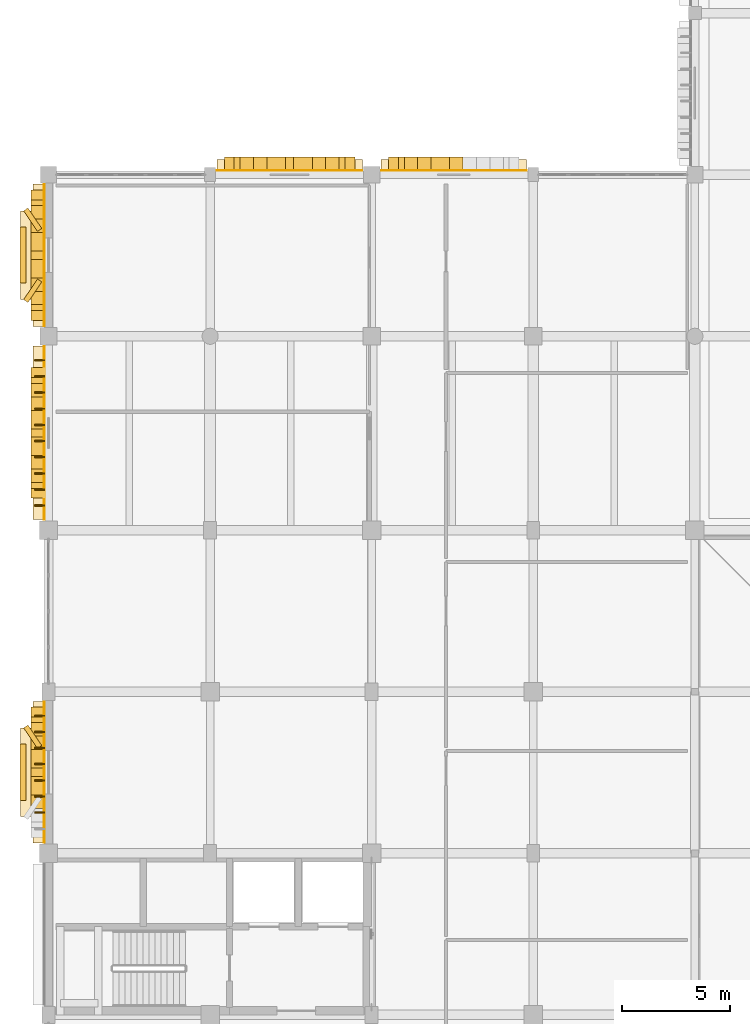
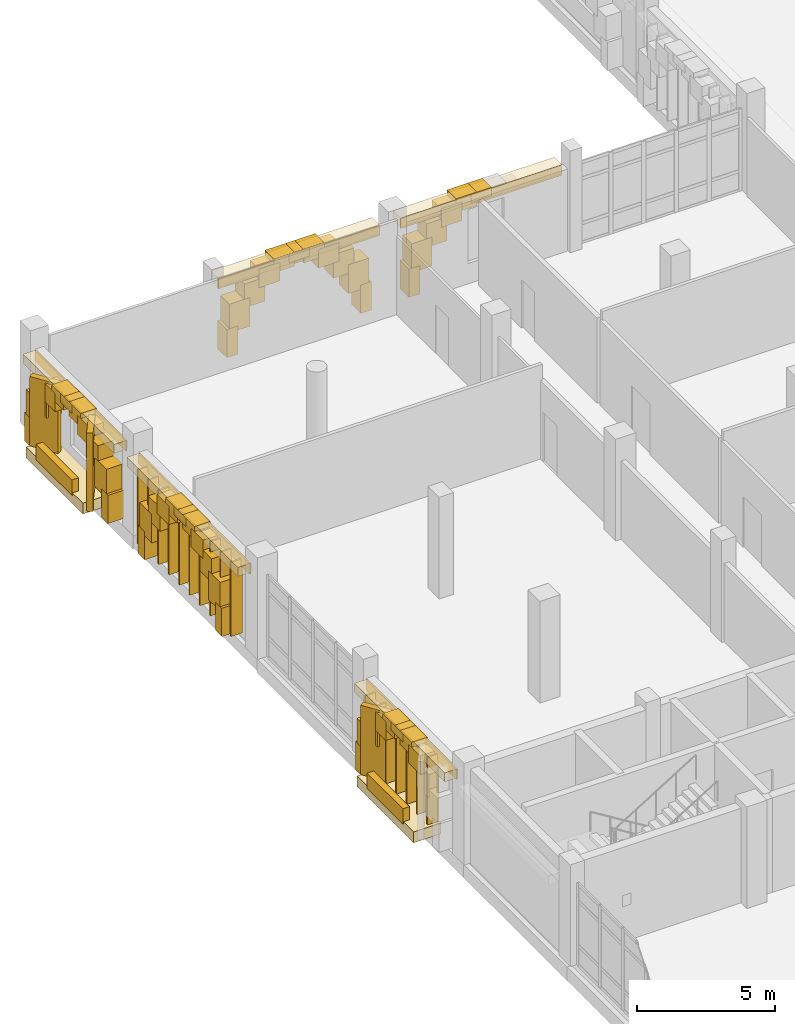
# One storey, part 115 of 128: 64 coverings, 17 shading devices.
"""IFC4 building model written with IfcOpenShell, lengths in metres."""

from ifc_helpers import new_model, si_unit, direction, frame, origin, origin_2d, place, context, subcontext, project, spatial, rectangle, extrude, material, layer, layer_set, type_object, element, save


model = new_model("IFC4")

# Units and contexts
model_context = context("Model", 3, precision=1e-05, world=origin(), true_north=direction((0.0, 1.0)))
body_context = subcontext(model_context, "Body", "Model", "MODEL_VIEW")
ifc_project = project(units=[si_unit("LENGTHUNIT", "METRE"), si_unit("AREAUNIT", "SQUARE_METRE"), si_unit("VOLUMEUNIT", "CUBIC_METRE"), si_unit("PLANEANGLEUNIT", "RADIAN"), si_unit("MASSUNIT", "GRAM", prefix="KILO")], contexts=[model_context])

# Site, building, storey
site_placement = place(None, origin())
site = spatial("IfcSite", under=ifc_project, at=site_placement, CompositionType="ELEMENT")
building_placement = place(site_placement, origin())
building = spatial("IfcBuilding", under=site, at=building_placement, Name="Dalvernix Boulevard General Hospital", CompositionType="ELEMENT")
storey_placement = place(building_placement, frame((0.0, 0.0, 4.800048828125)))
storey = spatial("IfcBuildingStorey", under=building, at=storey_placement, Name="L01", CompositionType="ELEMENT", Elevation=4.800048828125)

# Coverings
ifc_material_1 = material(Name="Pressed Catalan clay brick and dressed limestone parabolic archivolt", Category="masonry")
ifc_layer_1 = layer(ifc_material_1, 0.419921875)
ifc_layer_set_1 = layer_set([ifc_layer_1], Name="Pressed Catalan clay brick and dressed limestone parabolic archivolt (COV-ARC-01)")
covering_type_1 = type_object("IfcCoveringType", Name="COV-ARC-01", PredefinedType="CLADDING", material=ifc_layer_set_1)
covering_1_placement = place(storey_placement, frame((-0.485107421875, 68.0625, 0.0), z_axis=(0.0, 0.0, 1.0), x_axis=(0.0, 1.0, 0.0)))
element("IfcCovering", 1, at=covering_1_placement, inside=storey, type_object=covering_type_1, Name="L01 Catalan parabolic arch impost pier W 0-8-R", PredefinedType="CLADDING", context=body_context, shape_type="SweptSolid", body=[
    extrude(rectangle(XDim=0.4599609375, YDim=0.659912109375, at=origin_2d()), origin(), (0.0, 0.0, 1.0), 1.25),
])
covering_2_placement = place(storey_placement, frame((-0.485107421875, 64.01806640625, 2.62255859375), z_axis=(0.0, 0.0, 1.0), x_axis=(0.0, 1.0, 0.0)))
element("IfcCovering", 2, at=covering_2_placement, inside=storey, type_object=covering_type_1, Name="L01 Catalan parabolic archivolt voussoir W 0-8-3", PredefinedType="CLADDING", context=body_context, shape_type="SweptSolid", body=[
    extrude(rectangle(XDim=0.8623046875, YDim=0.659912109375, at=origin_2d()), origin(), (0.0, 0.0, 1.0), 0.826416015625),
])
covering_3_placement = place(storey_placement, frame((-0.485107421875, 64.640380859375, 3.06884765625), z_axis=(0.0, 0.0, 1.0), x_axis=(0.0, 1.0, 0.0)))
element("IfcCovering", 3, at=covering_3_placement, inside=storey, type_object=covering_type_1, Name="L01 Catalan parabolic archivolt voussoir W 0-8-4", PredefinedType="CLADDING", context=body_context, shape_type="SweptSolid", body=[
    extrude(rectangle(XDim=0.8623046875, YDim=0.659912109375, at=origin_2d()), origin(), (0.0, 0.0, 1.0), 0.603271484375),
])
covering_4_placement = place(storey_placement, frame((-0.485107421875, 65.262451171875, 3.2919921875), z_axis=(0.0, 0.0, 1.0), x_axis=(0.0, 1.0, 0.0)))
element("IfcCovering", 4, at=covering_4_placement, inside=storey, type_object=covering_type_1, Name="L01 Catalan parabolic archivolt voussoir W 0-8-5", PredefinedType="CLADDING", context=body_context, shape_type="SweptSolid", body=[
    extrude(rectangle(XDim=0.8623046875, YDim=0.659912109375, at=origin_2d()), origin(), (0.0, 0.0, 1.0), 0.3798828125),
])
covering_5_placement = place(storey_placement, frame((-0.485107421875, 65.884765625, 3.06884765625), z_axis=(0.0, 0.0, 1.0), x_axis=(0.0, 1.0, 0.0)))
element("IfcCovering", 5, at=covering_5_placement, inside=storey, type_object=covering_type_1, Name="L01 Catalan parabolic archivolt voussoir W 0-8-6", PredefinedType="CLADDING", context=body_context, shape_type="SweptSolid", body=[
    extrude(rectangle(XDim=0.8623046875, YDim=0.659912109375, at=origin_2d()), origin(), (0.0, 0.0, 1.0), 0.603271484375),
])
covering_6_placement = place(storey_placement, frame((-0.485107421875, 66.5068359375, 2.62255859375), z_axis=(0.0, 0.0, 1.0), x_axis=(0.0, 1.0, 0.0)))
element("IfcCovering", 6, at=covering_6_placement, inside=storey, type_object=covering_type_1, Name="L01 Catalan parabolic archivolt voussoir W 0-8-7", PredefinedType="CLADDING", context=body_context, shape_type="SweptSolid", body=[
    extrude(rectangle(XDim=0.8623046875, YDim=0.659912109375, at=origin_2d()), origin(), (0.0, 0.0, 1.0), 0.826416015625),
])
covering_7_placement = place(storey_placement, frame((-0.485107421875, 67.129150390625, 1.95263671875), z_axis=(0.0, 0.0, 1.0), x_axis=(0.0, 1.0, 0.0)))
element("IfcCovering", 7, at=covering_7_placement, inside=storey, type_object=covering_type_1, Name="L01 Catalan parabolic archivolt voussoir W 0-8-8", PredefinedType="CLADDING", context=body_context, shape_type="SweptSolid", body=[
    extrude(rectangle(XDim=0.8623046875, YDim=0.659912109375, at=origin_2d()), origin(), (0.0, 0.0, 1.0), 1.049560546875),
])
covering_8_placement = place(storey_placement, frame((-0.485107421875, 67.75146484375, 1.06005859375), z_axis=(0.0, 0.0, 1.0), x_axis=(0.0, 1.0, 0.0)))
element("IfcCovering", 8, at=covering_8_placement, inside=storey, type_object=covering_type_1, Name="L01 Catalan parabolic archivolt voussoir W 0-8-9", PredefinedType="CLADDING", context=body_context, shape_type="SweptSolid", body=[
    extrude(rectangle(XDim=0.8623046875, YDim=0.659912109375, at=origin_2d()), origin(), (0.0, 0.0, 1.0), 1.272705078125),
])
for number, where, z_axis, x_axis, name in (
    (9, (-0.485107421875, 78.21240234375, 0.0), (0.0, 0.0, 1.0), (0.0, 1.0, 0.0), "L01 Catalan parabolic arch impost pier W 0-10-L"),
    (10, (-0.485107421875, 83.8125, 0.0), (0.0, 0.0, 1.0), (0.0, 1.0, 0.0), "L01 Catalan parabolic arch impost pier W 0-10-R"),
):
    element("IfcCovering", number, at=place(storey_placement, frame(where, z_axis=z_axis, x_axis=x_axis)), inside=storey, type_object=covering_type_1, Name=name, PredefinedType="CLADDING", context=body_context, shape_type="SweptSolid", body=[
        extrude(rectangle(XDim=0.4599609375, YDim=0.659912109375, at=origin_2d()), origin(), (0.0, 0.0, 1.0), 1.25),
    ])
covering_9_placement = place(storey_placement, frame((-0.485107421875, 78.523681640625, 1.06005859375), z_axis=(0.0, 0.0, 1.0), x_axis=(0.0, 1.0, 0.0)))
element("IfcCovering", 11, at=covering_9_placement, inside=storey, type_object=covering_type_1, Name="L01 Catalan parabolic archivolt voussoir W 0-10-1", PredefinedType="CLADDING", context=body_context, shape_type="SweptSolid", body=[
    extrude(rectangle(XDim=0.8623046875, YDim=0.659912109375, at=origin_2d()), origin(), (0.0, 0.0, 1.0), 1.272705078125),
])
covering_10_placement = place(storey_placement, frame((-0.485107421875, 79.145751953125, 1.95263671875), z_axis=(0.0, 0.0, 1.0), x_axis=(0.0, 1.0, 0.0)))
element("IfcCovering", 12, at=covering_10_placement, inside=storey, type_object=covering_type_1, Name="L01 Catalan parabolic archivolt voussoir W 0-10-2", PredefinedType="CLADDING", context=body_context, shape_type="SweptSolid", body=[
    extrude(rectangle(XDim=0.8623046875, YDim=0.659912109375, at=origin_2d()), origin(), (0.0, 0.0, 1.0), 1.049560546875),
])
covering_11_placement = place(storey_placement, frame((-0.485107421875, 79.76806640625, 2.62255859375), z_axis=(0.0, 0.0, 1.0), x_axis=(0.0, 1.0, 0.0)))
element("IfcCovering", 13, at=covering_11_placement, inside=storey, type_object=covering_type_1, Name="L01 Catalan parabolic archivolt voussoir W 0-10-3", PredefinedType="CLADDING", context=body_context, shape_type="SweptSolid", body=[
    extrude(rectangle(XDim=0.8623046875, YDim=0.659912109375, at=origin_2d()), origin(), (0.0, 0.0, 1.0), 0.826416015625),
])
covering_12_placement = place(storey_placement, frame((-0.485107421875, 80.390380859375, 3.06884765625), z_axis=(0.0, 0.0, 1.0), x_axis=(0.0, 1.0, 0.0)))
element("IfcCovering", 14, at=covering_12_placement, inside=storey, type_object=covering_type_1, Name="L01 Catalan parabolic archivolt voussoir W 0-10-4", PredefinedType="CLADDING", context=body_context, shape_type="SweptSolid", body=[
    extrude(rectangle(XDim=0.8623046875, YDim=0.659912109375, at=origin_2d()), origin(), (0.0, 0.0, 1.0), 0.603271484375),
])
covering_13_placement = place(storey_placement, frame((-0.485107421875, 81.012451171875, 3.2919921875), z_axis=(0.0, 0.0, 1.0), x_axis=(0.0, 1.0, 0.0)))
element("IfcCovering", 15, at=covering_13_placement, inside=storey, type_object=covering_type_1, Name="L01 Catalan parabolic archivolt voussoir W 0-10-5", PredefinedType="CLADDING", context=body_context, shape_type="SweptSolid", body=[
    extrude(rectangle(XDim=0.8623046875, YDim=0.659912109375, at=origin_2d()), origin(), (0.0, 0.0, 1.0), 0.3798828125),
])
covering_14_placement = place(storey_placement, frame((-0.485107421875, 81.634765625, 3.06884765625), z_axis=(0.0, 0.0, 1.0), x_axis=(0.0, 1.0, 0.0)))
element("IfcCovering", 16, at=covering_14_placement, inside=storey, type_object=covering_type_1, Name="L01 Catalan parabolic archivolt voussoir W 0-10-6", PredefinedType="CLADDING", context=body_context, shape_type="SweptSolid", body=[
    extrude(rectangle(XDim=0.8623046875, YDim=0.659912109375, at=origin_2d()), origin(), (0.0, 0.0, 1.0), 0.603271484375),
])
covering_15_placement = place(storey_placement, frame((-0.485107421875, 82.2568359375, 2.62255859375), z_axis=(0.0, 0.0, 1.0), x_axis=(0.0, 1.0, 0.0)))
element("IfcCovering", 17, at=covering_15_placement, inside=storey, type_object=covering_type_1, Name="L01 Catalan parabolic archivolt voussoir W 0-10-7", PredefinedType="CLADDING", context=body_context, shape_type="SweptSolid", body=[
    extrude(rectangle(XDim=0.8623046875, YDim=0.659912109375, at=origin_2d()), origin(), (0.0, 0.0, 1.0), 0.826416015625),
])
covering_16_placement = place(storey_placement, frame((-0.485107421875, 82.879150390625, 1.95263671875), z_axis=(0.0, 0.0, 1.0), x_axis=(0.0, 1.0, 0.0)))
element("IfcCovering", 18, at=covering_16_placement, inside=storey, type_object=covering_type_1, Name="L01 Catalan parabolic archivolt voussoir W 0-10-8", PredefinedType="CLADDING", context=body_context, shape_type="SweptSolid", body=[
    extrude(rectangle(XDim=0.8623046875, YDim=0.659912109375, at=origin_2d()), origin(), (0.0, 0.0, 1.0), 1.049560546875),
])
covering_17_placement = place(storey_placement, frame((-0.485107421875, 83.50146484375, 1.06005859375), z_axis=(0.0, 0.0, 1.0), x_axis=(0.0, 1.0, 0.0)))
element("IfcCovering", 19, at=covering_17_placement, inside=storey, type_object=covering_type_1, Name="L01 Catalan parabolic archivolt voussoir W 0-10-9", PredefinedType="CLADDING", context=body_context, shape_type="SweptSolid", body=[
    extrude(rectangle(XDim=0.8623046875, YDim=0.659912109375, at=origin_2d()), origin(), (0.0, 0.0, 1.0), 1.272705078125),
])
for number, where, z_axis, x_axis, name in (
    (20, (-0.485107421875, 86.46240234375, 0.0), (0.0, 0.0, 1.0), (0.0, 1.0, 0.0), "L01 Catalan parabolic arch impost pier W 0-11-L"),
    (21, (-0.485107421875, 92.0625, 0.0), (0.0, 0.0, 1.0), (0.0, 1.0, 0.0), "L01 Catalan parabolic arch impost pier W 0-11-R"),
):
    element("IfcCovering", number, at=place(storey_placement, frame(where, z_axis=z_axis, x_axis=x_axis)), inside=storey, type_object=covering_type_1, Name=name, PredefinedType="CLADDING", context=body_context, shape_type="SweptSolid", body=[
        extrude(rectangle(XDim=0.4599609375, YDim=0.659912109375, at=origin_2d()), origin(), (0.0, 0.0, 1.0), 1.25),
    ])
covering_18_placement = place(storey_placement, frame((-0.485107421875, 86.773681640625, 1.06005859375), z_axis=(0.0, 0.0, 1.0), x_axis=(0.0, 1.0, 0.0)))
element("IfcCovering", 22, at=covering_18_placement, inside=storey, type_object=covering_type_1, Name="L01 Catalan parabolic archivolt voussoir W 0-11-1", PredefinedType="CLADDING", context=body_context, shape_type="SweptSolid", body=[
    extrude(rectangle(XDim=0.8623046875, YDim=0.659912109375, at=origin_2d()), origin(), (0.0, 0.0, 1.0), 1.272705078125),
])
covering_19_placement = place(storey_placement, frame((-0.485107421875, 87.395751953125, 1.95263671875), z_axis=(0.0, 0.0, 1.0), x_axis=(0.0, 1.0, 0.0)))
element("IfcCovering", 23, at=covering_19_placement, inside=storey, type_object=covering_type_1, Name="L01 Catalan parabolic archivolt voussoir W 0-11-2", PredefinedType="CLADDING", context=body_context, shape_type="SweptSolid", body=[
    extrude(rectangle(XDim=0.8623046875, YDim=0.659912109375, at=origin_2d()), origin(), (0.0, 0.0, 1.0), 1.049560546875),
])
covering_20_placement = place(storey_placement, frame((-0.485107421875, 88.01806640625, 2.62255859375), z_axis=(0.0, 0.0, 1.0), x_axis=(0.0, 1.0, 0.0)))
element("IfcCovering", 24, at=covering_20_placement, inside=storey, type_object=covering_type_1, Name="L01 Catalan parabolic archivolt voussoir W 0-11-3", PredefinedType="CLADDING", context=body_context, shape_type="SweptSolid", body=[
    extrude(rectangle(XDim=0.8623046875, YDim=0.659912109375, at=origin_2d()), origin(), (0.0, 0.0, 1.0), 0.826416015625),
])
covering_21_placement = place(storey_placement, frame((-0.485107421875, 88.640380859375, 3.06884765625), z_axis=(0.0, 0.0, 1.0), x_axis=(0.0, 1.0, 0.0)))
element("IfcCovering", 25, at=covering_21_placement, inside=storey, type_object=covering_type_1, Name="L01 Catalan parabolic archivolt voussoir W 0-11-4", PredefinedType="CLADDING", context=body_context, shape_type="SweptSolid", body=[
    extrude(rectangle(XDim=0.8623046875, YDim=0.659912109375, at=origin_2d()), origin(), (0.0, 0.0, 1.0), 0.603271484375),
])
covering_22_placement = place(storey_placement, frame((-0.485107421875, 89.262451171875, 3.2919921875), z_axis=(0.0, 0.0, 1.0), x_axis=(0.0, 1.0, 0.0)))
element("IfcCovering", 26, at=covering_22_placement, inside=storey, type_object=covering_type_1, Name="L01 Catalan parabolic archivolt voussoir W 0-11-5", PredefinedType="CLADDING", context=body_context, shape_type="SweptSolid", body=[
    extrude(rectangle(XDim=0.8623046875, YDim=0.659912109375, at=origin_2d()), origin(), (0.0, 0.0, 1.0), 0.3798828125),
])
covering_23_placement = place(storey_placement, frame((-0.485107421875, 89.884765625, 3.06884765625), z_axis=(0.0, 0.0, 1.0), x_axis=(0.0, 1.0, 0.0)))
element("IfcCovering", 27, at=covering_23_placement, inside=storey, type_object=covering_type_1, Name="L01 Catalan parabolic archivolt voussoir W 0-11-6", PredefinedType="CLADDING", context=body_context, shape_type="SweptSolid", body=[
    extrude(rectangle(XDim=0.8623046875, YDim=0.659912109375, at=origin_2d()), origin(), (0.0, 0.0, 1.0), 0.603271484375),
])
covering_24_placement = place(storey_placement, frame((-0.485107421875, 90.5068359375, 2.62255859375), z_axis=(0.0, 0.0, 1.0), x_axis=(0.0, 1.0, 0.0)))
element("IfcCovering", 28, at=covering_24_placement, inside=storey, type_object=covering_type_1, Name="L01 Catalan parabolic archivolt voussoir W 0-11-7", PredefinedType="CLADDING", context=body_context, shape_type="SweptSolid", body=[
    extrude(rectangle(XDim=0.8623046875, YDim=0.659912109375, at=origin_2d()), origin(), (0.0, 0.0, 1.0), 0.826416015625),
])
covering_25_placement = place(storey_placement, frame((-0.485107421875, 91.129150390625, 1.95263671875), z_axis=(0.0, 0.0, 1.0), x_axis=(0.0, 1.0, 0.0)))
element("IfcCovering", 29, at=covering_25_placement, inside=storey, type_object=covering_type_1, Name="L01 Catalan parabolic archivolt voussoir W 0-11-8", PredefinedType="CLADDING", context=body_context, shape_type="SweptSolid", body=[
    extrude(rectangle(XDim=0.8623046875, YDim=0.659912109375, at=origin_2d()), origin(), (0.0, 0.0, 1.0), 1.049560546875),
])
covering_26_placement = place(storey_placement, frame((-0.485107421875, 91.75146484375, 1.06005859375), z_axis=(0.0, 0.0, 1.0), x_axis=(0.0, 1.0, 0.0)))
element("IfcCovering", 30, at=covering_26_placement, inside=storey, type_object=covering_type_1, Name="L01 Catalan parabolic archivolt voussoir W 0-11-9", PredefinedType="CLADDING", context=body_context, shape_type="SweptSolid", body=[
    extrude(rectangle(XDim=0.8623046875, YDim=0.659912109375, at=origin_2d()), origin(), (0.0, 0.0, 1.0), 1.272705078125),
])
for number, where, z_axis, x_axis, name in (
    (31, (8.387451171875, 93.485107421875, 0.0), (0.0, 0.0, 1.0), (1.0, 0.0, 0.0), "L01 Catalan parabolic arch impost pier N 1-12-L"),
    (32, (13.987548828125, 93.485107421875, 0.0), (0.0, 0.0, 1.0), (1.0, 0.0, 0.0), "L01 Catalan parabolic arch impost pier N 1-12-R"),
):
    element("IfcCovering", number, at=place(storey_placement, frame(where, z_axis=z_axis, x_axis=x_axis)), inside=storey, type_object=covering_type_1, Name=name, PredefinedType="CLADDING", context=body_context, shape_type="SweptSolid", body=[
        extrude(rectangle(XDim=0.4599609375, YDim=0.659912109375, at=origin_2d()), origin(), (0.0, 0.0, 1.0), 1.25),
    ])
covering_27_placement = place(storey_placement, frame((8.698486328125, 93.485107421875, 1.06005859375), z_axis=(0.0, 0.0, 1.0), x_axis=(1.0, 0.0, 0.0)))
element("IfcCovering", 33, at=covering_27_placement, inside=storey, type_object=covering_type_1, Name="L01 Catalan parabolic archivolt voussoir N 1-12-1", PredefinedType="CLADDING", context=body_context, shape_type="SweptSolid", body=[
    extrude(rectangle(XDim=0.8623046875, YDim=0.659912109375, at=origin_2d()), origin(), (0.0, 0.0, 1.0), 1.272705078125),
])
covering_28_placement = place(storey_placement, frame((9.32080078125, 93.485107421875, 1.95263671875), z_axis=(0.0, 0.0, 1.0), x_axis=(1.0, 0.0, 0.0)))
element("IfcCovering", 34, at=covering_28_placement, inside=storey, type_object=covering_type_1, Name="L01 Catalan parabolic archivolt voussoir N 1-12-2", PredefinedType="CLADDING", context=body_context, shape_type="SweptSolid", body=[
    extrude(rectangle(XDim=0.8623046875, YDim=0.659912109375, at=origin_2d()), origin(), (0.0, 0.0, 1.0), 1.049560546875),
])
covering_29_placement = place(storey_placement, frame((9.943115234375, 93.485107421875, 2.62255859375), z_axis=(0.0, 0.0, 1.0), x_axis=(1.0, 0.0, 0.0)))
element("IfcCovering", 35, at=covering_29_placement, inside=storey, type_object=covering_type_1, Name="L01 Catalan parabolic archivolt voussoir N 1-12-3", PredefinedType="CLADDING", context=body_context, shape_type="SweptSolid", body=[
    extrude(rectangle(XDim=0.8623046875, YDim=0.659912109375, at=origin_2d()), origin(), (0.0, 0.0, 1.0), 0.826416015625),
])
covering_30_placement = place(storey_placement, frame((10.565185546875, 93.485107421875, 3.06884765625), z_axis=(0.0, 0.0, 1.0), x_axis=(1.0, 0.0, 0.0)))
element("IfcCovering", 36, at=covering_30_placement, inside=storey, type_object=covering_type_1, Name="L01 Catalan parabolic archivolt voussoir N 1-12-4", PredefinedType="CLADDING", context=body_context, shape_type="SweptSolid", body=[
    extrude(rectangle(XDim=0.8623046875, YDim=0.659912109375, at=origin_2d()), origin(), (0.0, 0.0, 1.0), 0.603271484375),
])
covering_31_placement = place(storey_placement, frame((11.1875, 93.485107421875, 3.2919921875), z_axis=(0.0, 0.0, 1.0), x_axis=(1.0, 0.0, 0.0)))
element("IfcCovering", 37, at=covering_31_placement, inside=storey, type_object=covering_type_1, Name="L01 Catalan parabolic archivolt voussoir N 1-12-5", PredefinedType="CLADDING", context=body_context, shape_type="SweptSolid", body=[
    extrude(rectangle(XDim=0.8623046875, YDim=0.659912109375, at=origin_2d()), origin(), (0.0, 0.0, 1.0), 0.3798828125),
])
covering_32_placement = place(storey_placement, frame((11.809814453125, 93.485107421875, 3.06884765625), z_axis=(0.0, 0.0, 1.0), x_axis=(1.0, 0.0, 0.0)))
element("IfcCovering", 38, at=covering_32_placement, inside=storey, type_object=covering_type_1, Name="L01 Catalan parabolic archivolt voussoir N 1-12-6", PredefinedType="CLADDING", context=body_context, shape_type="SweptSolid", body=[
    extrude(rectangle(XDim=0.8623046875, YDim=0.659912109375, at=origin_2d()), origin(), (0.0, 0.0, 1.0), 0.603271484375),
])
covering_33_placement = place(storey_placement, frame((12.431884765625, 93.485107421875, 2.62255859375), z_axis=(0.0, 0.0, 1.0), x_axis=(1.0, 0.0, 0.0)))
element("IfcCovering", 39, at=covering_33_placement, inside=storey, type_object=covering_type_1, Name="L01 Catalan parabolic archivolt voussoir N 1-12-7", PredefinedType="CLADDING", context=body_context, shape_type="SweptSolid", body=[
    extrude(rectangle(XDim=0.8623046875, YDim=0.659912109375, at=origin_2d()), origin(), (0.0, 0.0, 1.0), 0.826416015625),
])
covering_34_placement = place(storey_placement, frame((13.05419921875, 93.485107421875, 1.95263671875), z_axis=(0.0, 0.0, 1.0), x_axis=(1.0, 0.0, 0.0)))
element("IfcCovering", 40, at=covering_34_placement, inside=storey, type_object=covering_type_1, Name="L01 Catalan parabolic archivolt voussoir N 1-12-8", PredefinedType="CLADDING", context=body_context, shape_type="SweptSolid", body=[
    extrude(rectangle(XDim=0.8623046875, YDim=0.659912109375, at=origin_2d()), origin(), (0.0, 0.0, 1.0), 1.049560546875),
])
covering_35_placement = place(storey_placement, frame((13.676513671875, 93.485107421875, 1.06005859375), z_axis=(0.0, 0.0, 1.0), x_axis=(1.0, 0.0, 0.0)))
element("IfcCovering", 41, at=covering_35_placement, inside=storey, type_object=covering_type_1, Name="L01 Catalan parabolic archivolt voussoir N 1-12-9", PredefinedType="CLADDING", context=body_context, shape_type="SweptSolid", body=[
    extrude(rectangle(XDim=0.8623046875, YDim=0.659912109375, at=origin_2d()), origin(), (0.0, 0.0, 1.0), 1.272705078125),
])
covering_36_placement = place(storey_placement, frame((16.012451171875, 93.485107421875, 0.0), z_axis=(0.0, 0.0, 1.0), x_axis=(1.0, 0.0, 0.0)))
element("IfcCovering", 42, at=covering_36_placement, inside=storey, type_object=covering_type_1, Name="L01 Catalan parabolic arch impost pier N 2-12-L", PredefinedType="CLADDING", context=body_context, shape_type="SweptSolid", body=[
    extrude(rectangle(XDim=0.4599609375, YDim=0.659912109375, at=origin_2d()), origin(), (0.0, 0.0, 1.0), 1.25),
])
covering_37_placement = place(storey_placement, frame((16.323486328125, 93.485107421875, 1.06005859375), z_axis=(0.0, 0.0, 1.0), x_axis=(1.0, 0.0, 0.0)))
element("IfcCovering", 43, at=covering_37_placement, inside=storey, type_object=covering_type_1, Name="L01 Catalan parabolic archivolt voussoir N 2-12-1", PredefinedType="CLADDING", context=body_context, shape_type="SweptSolid", body=[
    extrude(rectangle(XDim=0.8623046875, YDim=0.659912109375, at=origin_2d()), origin(), (0.0, 0.0, 1.0), 1.272705078125),
])
covering_38_placement = place(storey_placement, frame((16.94580078125, 93.485107421875, 1.95263671875), z_axis=(0.0, 0.0, 1.0), x_axis=(1.0, 0.0, 0.0)))
element("IfcCovering", 44, at=covering_38_placement, inside=storey, type_object=covering_type_1, Name="L01 Catalan parabolic archivolt voussoir N 2-12-2", PredefinedType="CLADDING", context=body_context, shape_type="SweptSolid", body=[
    extrude(rectangle(XDim=0.8623046875, YDim=0.659912109375, at=origin_2d()), origin(), (0.0, 0.0, 1.0), 1.049560546875),
])
covering_39_placement = place(storey_placement, frame((17.568115234375, 93.485107421875, 2.62255859375), z_axis=(0.0, 0.0, 1.0), x_axis=(1.0, 0.0, 0.0)))
element("IfcCovering", 45, at=covering_39_placement, inside=storey, type_object=covering_type_1, Name="L01 Catalan parabolic archivolt voussoir N 2-12-3", PredefinedType="CLADDING", context=body_context, shape_type="SweptSolid", body=[
    extrude(rectangle(XDim=0.8623046875, YDim=0.659912109375, at=origin_2d()), origin(), (0.0, 0.0, 1.0), 0.826416015625),
])
covering_40_placement = place(storey_placement, frame((18.190185546875, 93.485107421875, 3.06884765625), z_axis=(0.0, 0.0, 1.0), x_axis=(1.0, 0.0, 0.0)))
element("IfcCovering", 46, at=covering_40_placement, inside=storey, type_object=covering_type_1, Name="L01 Catalan parabolic archivolt voussoir N 2-12-4", PredefinedType="CLADDING", context=body_context, shape_type="SweptSolid", body=[
    extrude(rectangle(XDim=0.8623046875, YDim=0.659912109375, at=origin_2d()), origin(), (0.0, 0.0, 1.0), 0.603271484375),
])
covering_41_placement = place(storey_placement, frame((18.8125, 93.485107421875, 3.2919921875), z_axis=(0.0, 0.0, 1.0), x_axis=(1.0, 0.0, 0.0)))
element("IfcCovering", 47, at=covering_41_placement, inside=storey, type_object=covering_type_1, Name="L01 Catalan parabolic archivolt voussoir N 2-12-5", PredefinedType="CLADDING", context=body_context, shape_type="SweptSolid", body=[
    extrude(rectangle(XDim=0.8623046875, YDim=0.659912109375, at=origin_2d()), origin(), (0.0, 0.0, 1.0), 0.3798828125),
])
ifc_material_2 = material(Name="Polychrome glazed Catalan trencadis ceramic faceted bay spandrel")
ifc_layer_2 = layer(ifc_material_2, 0.280029296875)
ifc_layer_set_2 = layer_set([ifc_layer_2], Name="Polychrome glazed Catalan trencadis ceramic faceted bay spandrel (COV-BAY-01)")
covering_type_2 = type_object("IfcCoveringType", Name="COV-BAY-01", PredefinedType="CLADDING", material=ifc_layer_set_2)
covering_42_placement = place(storey_placement, frame((-1.18505859375, 65.262451171875, 0.3798828125), z_axis=(0.0, 0.0, 1.0), x_axis=(0.0, 1.0, 0.0)))
element("IfcCovering", 48, at=covering_42_placement, inside=storey, type_object=covering_type_2, Name="L01 projecting faceted trencadis bay spandrel W 0-8", PredefinedType="CLADDING", context=body_context, shape_type="SweptSolid", body=[
    extrude(rectangle(XDim=2.60009765625, YDim=0.280029296875, at=origin_2d()), origin(), (0.0, 0.0, 1.0), 0.679931640625),
])
covering_43_placement = place(storey_placement, frame((-0.735107421875, 66.91259765625, 0.080078125), z_axis=(0.0, 0.0, 1.0), x_axis=(-0.559192903471, 0.829037572555, 0.0)))
element("IfcCovering", 49, at=covering_43_placement, inside=storey, type_object=covering_type_2, Name="L01 projecting faceted Catalan bay cheek W 0-8-R", PredefinedType="CLADDING", context=body_context, shape_type="SweptSolid", body=[
    extrude(rectangle(XDim=1.14990234375, YDim=0.239990234375, at=origin_2d()), origin(), (0.0, 0.0, 1.0), 3.469970703125),
])
covering_44_placement = place(storey_placement, frame((-1.18505859375, 89.262451171875, 0.3798828125), z_axis=(0.0, 0.0, 1.0), x_axis=(0.0, 1.0, 0.0)))
element("IfcCovering", 50, at=covering_44_placement, inside=storey, type_object=covering_type_2, Name="L01 projecting faceted trencadis bay spandrel W 0-11", PredefinedType="CLADDING", context=body_context, shape_type="SweptSolid", body=[
    extrude(rectangle(XDim=2.60009765625, YDim=0.280029296875, at=origin_2d()), origin(), (0.0, 0.0, 1.0), 0.679931640625),
])
for number, where, z_axis, x_axis, name in (
    (51, (-0.735107421875, 87.612548828125, 0.080078125), (0.0, 0.0, 1.0), (0.559192903471, 0.829037572555, 0.0), "L01 projecting faceted Catalan bay cheek W 0-11-L"),
    (52, (-0.735107421875, 90.91259765625, 0.080078125), (0.0, 0.0, 1.0), (-0.559192903471, 0.829037572555, 0.0), "L01 projecting faceted Catalan bay cheek W 0-11-R"),
):
    element("IfcCovering", number, at=place(storey_placement, frame(where, z_axis=z_axis, x_axis=x_axis)), inside=storey, type_object=covering_type_2, Name=name, PredefinedType="CLADDING", context=body_context, shape_type="SweptSolid", body=[
        extrude(rectangle(XDim=1.14990234375, YDim=0.239990234375, at=origin_2d()), origin(), (0.0, 0.0, 1.0), 3.469970703125),
    ])
ifc_material_3 = material(Name="Polychrome Catalan glazed ceramic spandrel tile panel")
ifc_layer_3 = layer(ifc_material_3, 0.044921875)
ifc_layer_set_3 = layer_set([ifc_layer_3], Name="Polychrome Catalan glazed ceramic spandrel tile panel (COV-CLD-01)")
covering_type_3 = type_object("IfcCoveringType", Name="COV-CLD-01", PredefinedType="CLADDING", material=ifc_layer_set_3)
covering_45_placement = place(storey_placement, frame((-0.195068359375, 65.262451171875, 3.15478515625), z_axis=(0.0, 0.0, 1.0), x_axis=(0.0, 1.0, 0.0)))
element("IfcCovering", 53, at=covering_45_placement, inside=storey, type_object=covering_type_3, Name="L01 polychrome ceramic spandrel W 0-8", PredefinedType="CLADDING", context=body_context, shape_type="SweptSolid", body=[
    extrude(rectangle(XDim=6.554931640625, YDim=0.044921875, at=origin_2d()), origin(), (0.0, 0.0, 1.0), 0.449951171875),
])
covering_46_placement = place(storey_placement, frame((-0.195068359375, 81.012451171875, 3.15478515625), z_axis=(0.0, 0.0, 1.0), x_axis=(0.0, 1.0, 0.0)))
element("IfcCovering", 54, at=covering_46_placement, inside=storey, type_object=covering_type_3, Name="L01 polychrome ceramic spandrel W 0-10", PredefinedType="CLADDING", context=body_context, shape_type="SweptSolid", body=[
    extrude(rectangle(XDim=8.054931640625, YDim=0.044921875, at=origin_2d()), origin(), (0.0, 0.0, 1.0), 0.449951171875),
])
covering_47_placement = place(storey_placement, frame((-0.195068359375, 89.262451171875, 3.15478515625), z_axis=(0.0, 0.0, 1.0), x_axis=(0.0, 1.0, 0.0)))
element("IfcCovering", 55, at=covering_47_placement, inside=storey, type_object=covering_type_3, Name="L01 polychrome ceramic spandrel W 0-11", PredefinedType="CLADDING", context=body_context, shape_type="SweptSolid", body=[
    extrude(rectangle(XDim=6.60498046875, YDim=0.044921875, at=origin_2d()), origin(), (0.0, 0.0, 1.0), 0.449951171875),
])
for number, where, z_axis, x_axis, name in (
    (56, (11.1875, 93.195068359375, 3.15478515625), (0.0, 0.0, 1.0), (1.0, 0.0, 0.0), "L01 polychrome ceramic spandrel N 1-12"),
    (57, (18.8125, 93.195068359375, 3.15478515625), (0.0, 0.0, 1.0), (1.0, 0.0, 0.0), "L01 polychrome ceramic spandrel N 2-12"),
):
    element("IfcCovering", number, at=place(storey_placement, frame(where, z_axis=z_axis, x_axis=x_axis)), inside=storey, type_object=covering_type_3, Name=name, PredefinedType="CLADDING", context=body_context, shape_type="SweptSolid", body=[
        extrude(rectangle(XDim=6.7548828125, YDim=0.044921875, at=origin_2d()), origin(), (0.0, 0.0, 1.0), 0.449951171875),
    ])
ifc_material_4 = material(Name="Dressed ochre limestone classical plinth, stringcourse and corbelled cornice", Category="masonry")
ifc_layer_4 = layer(ifc_material_4, 0.449951171875)
ifc_layer_set_4 = layer_set([ifc_layer_4], Name="Dressed ochre limestone classical plinth, stringcourse and corbelled cornice (COV-CRN-01)")
covering_type_4 = type_object("IfcCoveringType", Name="COV-CRN-01", PredefinedType="CLADDING", material=ifc_layer_set_4)
covering_48_placement = place(storey_placement, frame((-0.43505859375, 65.262451171875, 3.22998046875), z_axis=(0.0, 0.0, 1.0), x_axis=(0.0, 1.0, 0.0)))
element("IfcCovering", 58, at=covering_48_placement, inside=storey, type_object=covering_type_4, Name="L01 classical corbelled cornice frieze W 0-8", PredefinedType="CLADDING", context=body_context, shape_type="SweptSolid", body=[
    extrude(rectangle(XDim=6.554931640625, YDim=0.56005859375, at=origin_2d()), origin(), (0.0, 0.0, 1.0), 0.39990234375),
])
covering_49_placement = place(storey_placement, frame((-0.72998046875, 65.262451171875, 0.0), z_axis=(0.0, 0.0, 1.0), x_axis=(0.0, 1.0, 0.0)))
element("IfcCovering", 59, at=covering_49_placement, inside=storey, type_object=covering_type_4, Name="L01 projecting Catalan bay corbel base W 0-8", PredefinedType="CLADDING", context=body_context, shape_type="SweptSolid", body=[
    extrude(rectangle(XDim=4.10009765625, YDim=1.14990234375, at=origin_2d()), origin(), (0.0, 0.0, 1.0), 0.47998046875),
])
covering_50_placement = place(storey_placement, frame((-0.43505859375, 81.012451171875, 3.22998046875), z_axis=(0.0, 0.0, 1.0), x_axis=(0.0, 1.0, 0.0)))
element("IfcCovering", 60, at=covering_50_placement, inside=storey, type_object=covering_type_4, Name="L01 classical corbelled cornice frieze W 0-10", PredefinedType="CLADDING", context=body_context, shape_type="SweptSolid", body=[
    extrude(rectangle(XDim=8.054931640625, YDim=0.56005859375, at=origin_2d()), origin(), (0.0, 0.0, 1.0), 0.39990234375),
])
covering_51_placement = place(storey_placement, frame((-0.43505859375, 89.262451171875, 3.22998046875), z_axis=(0.0, 0.0, 1.0), x_axis=(0.0, 1.0, 0.0)))
element("IfcCovering", 61, at=covering_51_placement, inside=storey, type_object=covering_type_4, Name="L01 classical corbelled cornice frieze W 0-11", PredefinedType="CLADDING", context=body_context, shape_type="SweptSolid", body=[
    extrude(rectangle(XDim=6.60498046875, YDim=0.56005859375, at=origin_2d()), origin(), (0.0, 0.0, 1.0), 0.39990234375),
])
covering_52_placement = place(storey_placement, frame((-0.72998046875, 89.262451171875, 0.0), z_axis=(0.0, 0.0, 1.0), x_axis=(0.0, 1.0, 0.0)))
element("IfcCovering", 62, at=covering_52_placement, inside=storey, type_object=covering_type_4, Name="L01 projecting Catalan bay corbel base W 0-11", PredefinedType="CLADDING", context=body_context, shape_type="SweptSolid", body=[
    extrude(rectangle(XDim=4.10009765625, YDim=1.14990234375, at=origin_2d()), origin(), (0.0, 0.0, 1.0), 0.47998046875),
])
for number, where, z_axis, x_axis, name in (
    (63, (11.1875, 93.43505859375, 3.22998046875), (0.0, 0.0, 1.0), (1.0, 0.0, 0.0), "L01 classical corbelled cornice frieze N 1-12"),
    (64, (18.8125, 93.43505859375, 3.22998046875), (0.0, 0.0, 1.0), (1.0, 0.0, 0.0), "L01 classical corbelled cornice frieze N 2-12"),
):
    element("IfcCovering", number, at=place(storey_placement, frame(where, z_axis=z_axis, x_axis=x_axis)), inside=storey, type_object=covering_type_4, Name=name, PredefinedType="CLADDING", context=body_context, shape_type="SweptSolid", body=[
        extrude(rectangle(XDim=6.7548828125, YDim=0.56005859375, at=origin_2d()), origin(), (0.0, 0.0, 1.0), 0.39990234375),
    ])

# Shading devices
ifc_material_5 = material(Name="Preservative-treated West African iroko timber", Category="wood")
shading_device_type = type_object("IfcShadingDeviceType", Name="SHD-FIN-01", PredefinedType="USERDEFINED", material=ifc_material_5)
for number, where, z_axis, x_axis, name in (
    (65, (-0.405029296875, 63.387451171875, 0.1748046875), (0.0, 0.0, 1.0), (0.0, 1.0, 0.0), "L01 iroko brise-soleil fin 2"),
    (66, (-0.405029296875, 64.137451171875, 0.1748046875), (0.0, 0.0, 1.0), (0.0, 1.0, 0.0), "L01 iroko brise-soleil fin 3"),
    (67, (-0.405029296875, 64.887451171875, 0.1748046875), (0.0, 0.0, 1.0), (0.0, 1.0, 0.0), "L01 iroko brise-soleil fin 4"),
    (68, (-0.405029296875, 65.637451171875, 0.1748046875), (0.0, 0.0, 1.0), (0.0, 1.0, 0.0), "L01 iroko brise-soleil fin 5"),
    (69, (-0.405029296875, 66.387451171875, 0.1748046875), (0.0, 0.0, 1.0), (0.0, 1.0, 0.0), "L01 iroko brise-soleil fin 6"),
    (70, (-0.405029296875, 67.137451171875, 0.1748046875), (0.0, 0.0, 1.0), (0.0, 1.0, 0.0), "L01 iroko brise-soleil fin 7"),
    (71, (-0.405029296875, 67.887451171875, 0.1748046875), (0.0, 0.0, 1.0), (0.0, 1.0, 0.0), "L01 iroko brise-soleil fin 8"),
    (72, (-0.405029296875, 77.637451171875, 0.1748046875), (0.0, 0.0, 1.0), (0.0, 1.0, 0.0), "L01 iroko brise-soleil fin 1"),
    (73, (-0.405029296875, 78.387451171875, 0.1748046875), (0.0, 0.0, 1.0), (0.0, 1.0, 0.0), "L01 iroko brise-soleil fin 2"),
    (74, (-0.405029296875, 79.137451171875, 0.1748046875), (0.0, 0.0, 1.0), (0.0, 1.0, 0.0), "L01 iroko brise-soleil fin 3"),
    (75, (-0.405029296875, 79.887451171875, 0.1748046875), (0.0, 0.0, 1.0), (0.0, 1.0, 0.0), "L01 iroko brise-soleil fin 4"),
    (76, (-0.405029296875, 80.637451171875, 0.1748046875), (0.0, 0.0, 1.0), (0.0, 1.0, 0.0), "L01 iroko brise-soleil fin 5"),
    (77, (-0.405029296875, 81.387451171875, 0.1748046875), (0.0, 0.0, 1.0), (0.0, 1.0, 0.0), "L01 iroko brise-soleil fin 6"),
    (78, (-0.405029296875, 82.137451171875, 0.1748046875), (0.0, 0.0, 1.0), (0.0, 1.0, 0.0), "L01 iroko brise-soleil fin 7"),
    (79, (-0.405029296875, 82.887451171875, 0.1748046875), (0.0, 0.0, 1.0), (0.0, 1.0, 0.0), "L01 iroko brise-soleil fin 8"),
    (80, (-0.405029296875, 83.637451171875, 0.1748046875), (0.0, 0.0, 1.0), (0.0, 1.0, 0.0), "L01 iroko brise-soleil fin 9"),
    (81, (-0.405029296875, 84.387451171875, 0.1748046875), (0.0, 0.0, 1.0), (0.0, 1.0, 0.0), "L01 iroko brise-soleil fin 10"),
):
    element("IfcShadingDevice", number, at=place(storey_placement, frame(where, z_axis=z_axis, x_axis=x_axis)), inside=storey, type_object=shading_device_type, Name=name, ObjectType="FIN", PredefinedType="USERDEFINED", context=body_context, shape_type="SweptSolid", body=[
        extrude(rectangle(XDim=0.06494140625, YDim=0.47998046875, at=origin_2d()), origin(), (0.0, 0.0, 1.0), 3.280029296875),
    ])

save(model, "model.ifc")
